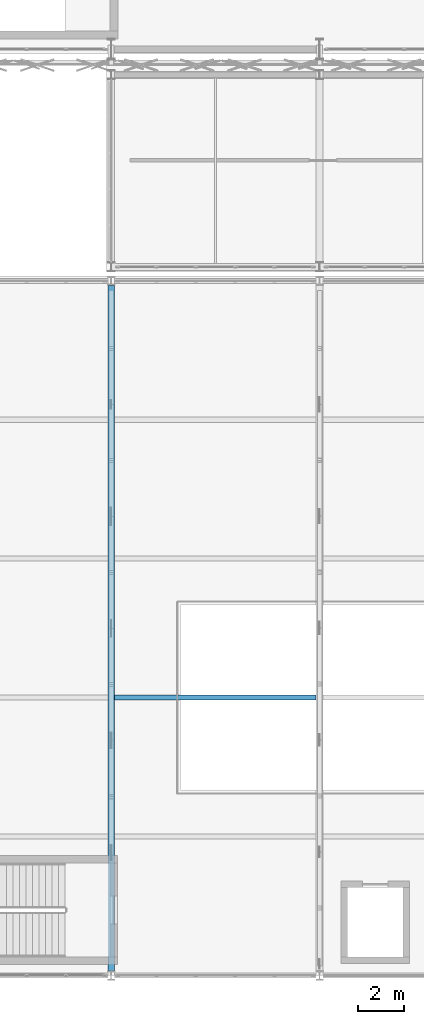
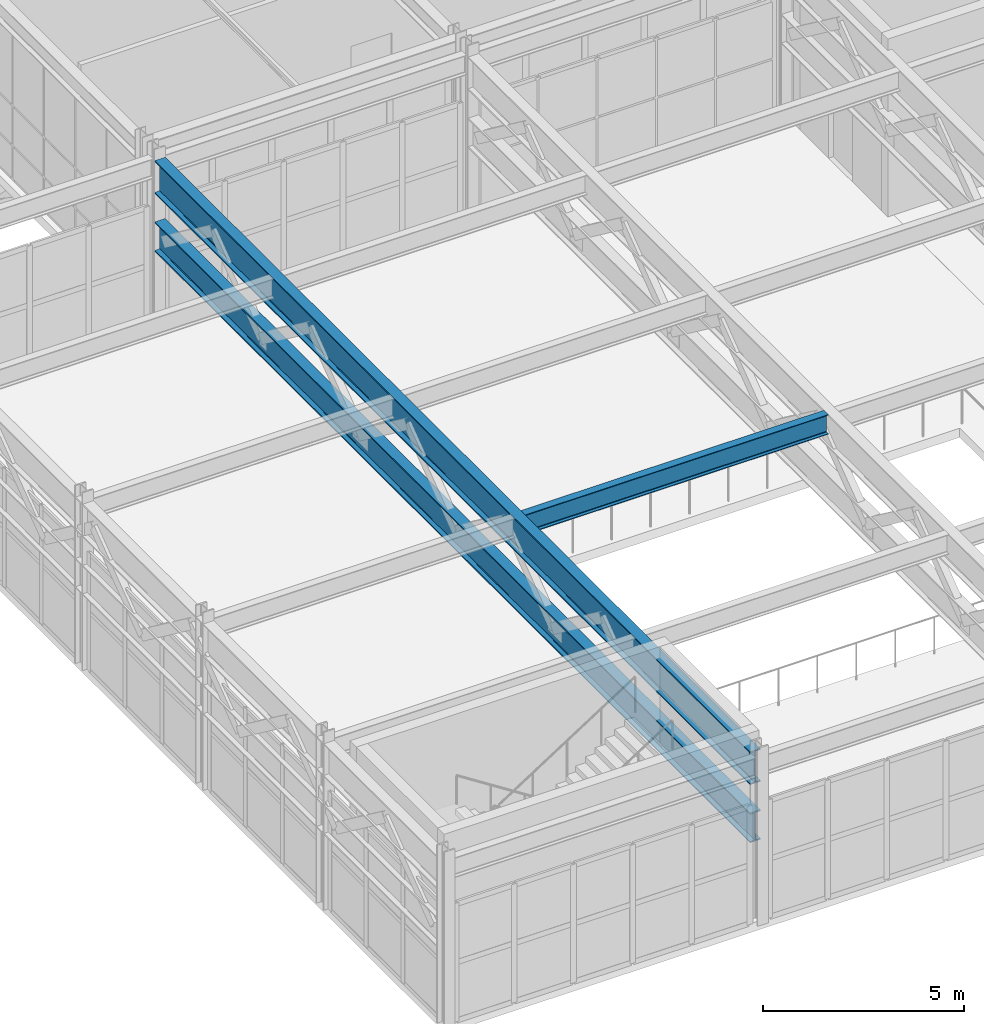
# One storey, part 25 of 210: 3 beams.
"""IFC4 building model written with IfcOpenShell, lengths in metres."""

from ifc_helpers import new_model, si_unit, direction, frame, origin, origin_2d, place, context, subcontext, project, spatial, i_section, extrude, material, material_profile, profile_set, type_object, element, save


model = new_model("IFC4")

# Units and contexts
model_context = context("Model", 3, precision=1e-05, world=origin(), true_north=direction((0.0, 1.0)))
body_context = subcontext(model_context, "Body", "Model", "MODEL_VIEW")
ifc_project = project(units=[si_unit("LENGTHUNIT", "METRE"), si_unit("AREAUNIT", "SQUARE_METRE"), si_unit("VOLUMEUNIT", "CUBIC_METRE"), si_unit("PLANEANGLEUNIT", "RADIAN"), si_unit("MASSUNIT", "GRAM", prefix="KILO")], contexts=[model_context])

# Site, building, storey
site_placement = place(None, origin())
site = spatial("IfcSite", under=ifc_project, at=site_placement, CompositionType="ELEMENT")
building_placement = place(site_placement, origin())
building = spatial("IfcBuilding", under=site, at=building_placement, Name="Kaldris Quays Convention Centre", CompositionType="ELEMENT")
storey_placement = place(building_placement, frame((0.0, 0.0, 6.0)))
storey = spatial("IfcBuildingStorey", under=building, at=storey_placement, Name="L01", CompositionType="ELEMENT", Elevation=6.0)

# Beams
ifc_material_1 = material(Name="Steel S460ML", Category="steel")
ifc_material_profile_1 = material_profile(ifc_material_1, i_section(OverallWidth=0.300048828125, OverallDepth=1.0, WebThickness=0.01904296875, FlangeThickness=0.035888671875, FilletRadius=0.030029296875, at=origin_2d()), Name="HEB 1000")
ifc_profile_set_1 = profile_set([ifc_material_profile_1], Name="Steel S460ML")
beam_type_1 = type_object("IfcBeamType", Name="STRUCTURAL BEAM BM01", PredefinedType="BEAM", material=ifc_profile_set_1)
beam_1_placement = place(storey_placement, frame((29.0, 16.19140625, 4.55810546875), z_axis=(0.0, 1.0, 0.0), x_axis=(-1.0, 0.0, 0.0)))
element("IfcBeam", 1, at=beam_1_placement, inside=storey, type_object=beam_type_1, Name="Transfer Truss TT02 Top Chord", PredefinedType="BEAM", context=body_context, shape_type="SweptSolid", body=[
    extrude(i_section(OverallWidth=0.300048828125, OverallDepth=1.0, WebThickness=0.01904296875, FlangeThickness=0.035888671875, FilletRadius=0.030029296875, at=origin_2d()), origin(), (0.0, 0.0, 1.0), 29.6171875),
])
ifc_material_2 = material(Name="Steel S355J2", Category="steel")
ifc_material_profile_2 = material_profile(ifc_material_2, i_section(OverallWidth=0.300048828125, OverallDepth=0.89990234375, WebThickness=0.0185546875, FlangeThickness=0.034912109375, FilletRadius=0.030029296875, at=origin_2d()), Name="HEB 900")
ifc_profile_set_2 = profile_set([ifc_material_profile_2], Name="Steel S355J2")
beam_type_2 = type_object("IfcBeamType", Name="STRUCTURAL BEAM BM02", PredefinedType="BEAM", material=ifc_profile_set_2)
beam_2_placement = place(storey_placement, frame((29.0, 16.19140625, 2.75), z_axis=(0.0, 1.0, 0.0), x_axis=(-1.0, 0.0, 0.0)))
element("IfcBeam", 2, at=beam_2_placement, inside=storey, type_object=beam_type_2, Name="Transfer Truss TT02 Bottom Chord", PredefinedType="BEAM", context=body_context, shape_type="SweptSolid", body=[
    extrude(i_section(OverallWidth=0.300048828125, OverallDepth=0.89990234375, WebThickness=0.0185546875, FlangeThickness=0.034912109375, FilletRadius=0.030029296875, at=origin_2d()), origin(), (0.0, 0.0, 1.0), 29.6171875),
])
ifc_material_profile_3 = material_profile(ifc_material_2, i_section(OverallWidth=0.219970703125, OverallDepth=0.60009765625, WebThickness=0.011962890625, FlangeThickness=0.01904296875, FilletRadius=0.02392578125, at=origin_2d()), Name="IPE 600")
ifc_profile_set_3 = profile_set([ifc_material_profile_3], Name="Steel S355J2")
beam_type_3 = type_object("IfcBeamType", Name="STRUCTURAL BEAM BM10", PredefinedType="BEAM", material=ifc_profile_set_3)
beam_3_placement = place(storey_placement, frame((29.14501953125, 28.0, 4.758056640625), z_axis=(1.0, 0.0, 0.0), x_axis=(0.0, 1.0, 0.0)))
element("IfcBeam", 3, at=beam_3_placement, inside=storey, type_object=beam_type_3, Name="L01 Ballroom Tie Beam BM10", PredefinedType="BEAM", context=body_context, shape_type="SweptSolid", body=[
    extrude(i_section(OverallWidth=0.219970703125, OverallDepth=0.60009765625, WebThickness=0.011962890625, FlangeThickness=0.01904296875, FilletRadius=0.02392578125, at=origin_2d()), origin(), (0.0, 0.0, 1.0), 8.7099609375),
])

save(model, "model.ifc")
